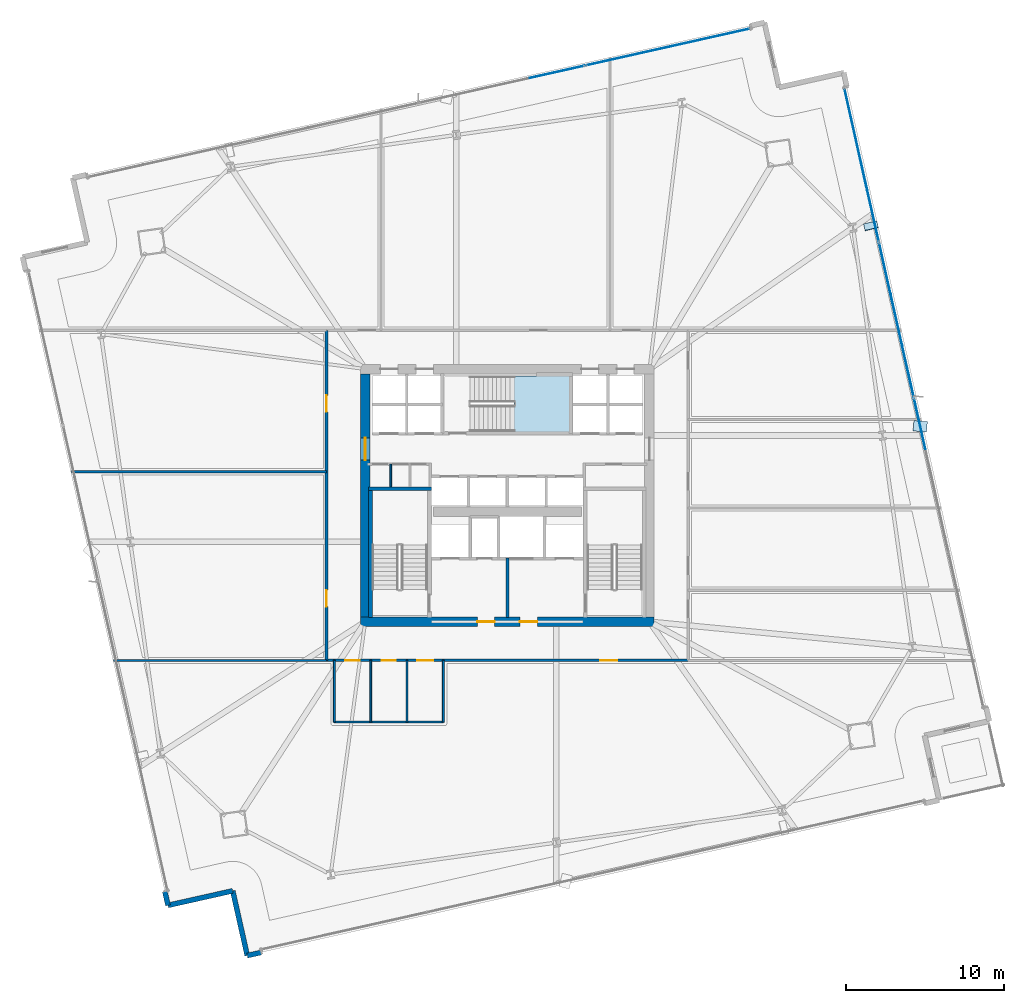
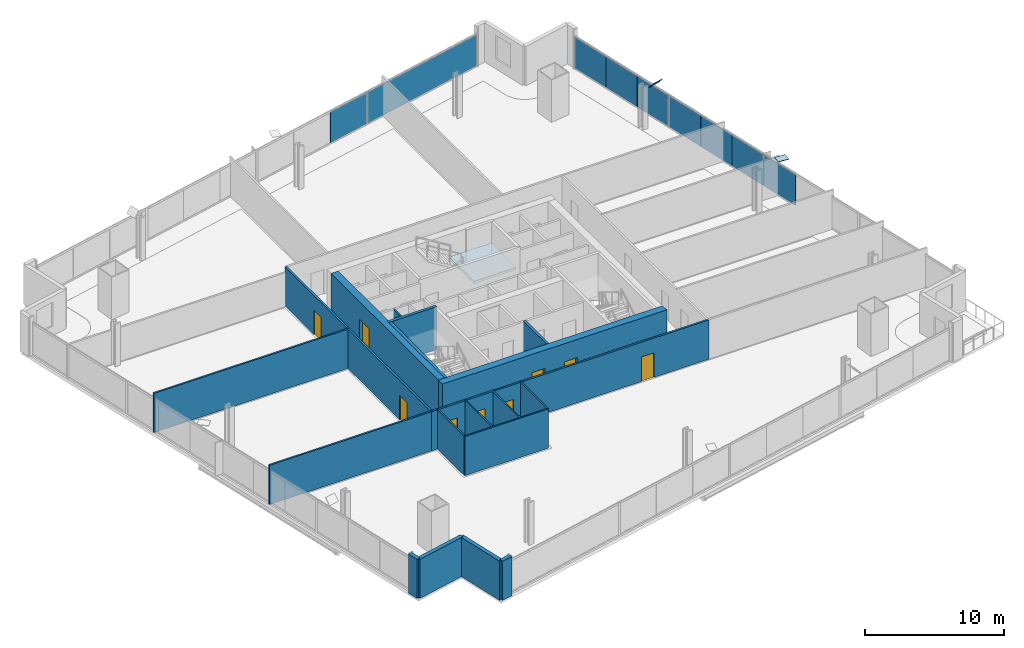
# One storey, part 24 of 32: 19 walls, 11 plates, 9 doors, 1 slab, 9 openings, 3 elements without a shape of their own.
"""IFC4 building model written with IfcOpenShell, lengths in metres."""

from ifc_helpers import new_model, si_unit, direction, frame, frame_2d, origin, origin_2d, place, context, subcontext, project, spatial, polyline, rectangle, outline, extrude, source, transform, mapped, material, layer, layer_set, type_object, element, fill, aggregate, save


model = new_model("IFC4")

# Units and contexts
model_context = context("Model", 3, precision=1e-05, world=origin(), true_north=direction((0.0, 1.0)))
body_context = subcontext(model_context, "Body", "Model", "MODEL_VIEW")
ifc_project = project(units=[si_unit("LENGTHUNIT", "METRE"), si_unit("AREAUNIT", "SQUARE_METRE"), si_unit("VOLUMEUNIT", "CUBIC_METRE"), si_unit("PLANEANGLEUNIT", "RADIAN"), si_unit("MASSUNIT", "GRAM", prefix="KILO")], contexts=[model_context])

# Site, building, storey
site_placement = place(None, origin())
site = spatial("IfcSite", under=ifc_project, at=site_placement, CompositionType="ELEMENT")
building_placement = place(site_placement, origin())
building = spatial("IfcBuilding", under=site, at=building_placement, Name="Haldenkirk Collegiate Tower", CompositionType="ELEMENT")
storey_placement = place(building_placement, frame((0.0, 0.0, 70.199951171875)))
storey = spatial("IfcBuildingStorey", under=building, at=storey_placement, Name="L16", CompositionType="ELEMENT", Elevation=70.199951171875)

# Stair, slab
ifc_material_1 = material(Name="Concrete f'c 40 MPa", Category="concrete")
stair_type = type_object("IfcStairType", Name="STR-DOGLEG-1650", PredefinedType="HALF_TURN_STAIR", material=ifc_material_1)
stair_placement = place(storey_placement, origin())
stair = element("IfcStair", 1, at=stair_placement, inside=storey, type_object=stair_type, Name="L16 Core Exit Stair ST-3", PredefinedType="HALF_TURN_STAIR")
ifc_layer_1 = layer(ifc_material_1, 0.199951171875)
ifc_layer_set_1 = layer_set([ifc_layer_1], Name="Concrete f'c 40 MPa")
slab_type = type_object("IfcSlabType", Name="SLB-LANDING-200", PredefinedType="LANDING", material=ifc_layer_set_1)
slab_placement = place(storey_placement, frame((0.0, 0.0, 1.675048828125)))
slab = element("IfcSlab", 2, at=slab_placement, type_object=slab_type, Name="ST-3 landing 1", PredefinedType="LANDING", context=body_context, shape_type="SweptSolid", body=[
    extrude(outline(polyline([(36.425048828125, 30.02490234375), (36.425048828125, 33.574951171875), (39.925048828125, 33.574951171875), (39.925048828125, 30.02490234375), (36.425048828125, 30.02490234375)])), origin(), (0.0, 0.0, 1.0), 0.199951171875),
])
aggregate(stair, [slab])

# Plates
ifc_material_2 = material(Name="Steel ASTM A572 Grade 50", Category="steel")
ifc_layer_2 = layer(ifc_material_2, 0.034912109375)
ifc_layer_set_2 = layer_set([ifc_layer_2], Name="Steel ASTM A572 Grade 50")
plate_type_1 = type_object("IfcPlateType", Name="PLT-CAP-EXT-760X600", PredefinedType="USERDEFINED", material=ifc_layer_set_2)
shared_shape_1 = source(origin(), body_context, "Body", "SweptSolid", [
    extrude(rectangle(XDim=0.860107421875, YDim=0.659912109375, at=origin_2d()), origin(), (0.0, 0.0, 1.0), 0.034912109375),
])
for number, where, z_axis, x_axis, name in (
    (3, (62.141845703125, 30.37109375, 3.42724609375), (0.002150001022, 0.023798011315, 0.999714475314), (-0.995941858021, 0.089998974672, -5.20753e-07), "Perimeter Mega Brace Z1 L14-L16 EL end cap plate 2"),
    (4, (59.02734375, 43.052001953125, 3.42822265625), (-0.177330003539, 0.742967014826, 0.645410012879), (-0.972678309164, -0.232157073729, 5.1e-11), "Perimeter Mega Brace Z1 L14-L16 ER end cap plate 2"),
):
    element("IfcPlate", number, at=place(storey_placement, frame(where, z_axis=z_axis, x_axis=x_axis)), inside=storey, type_object=plate_type_1, Name=name, ObjectType="END CAP PLATE", PredefinedType="USERDEFINED", context=body_context, shape_type="MappedRepresentation", body=[
        mapped(shared_shape_1, transform((0.0, 0.0, 0.0), x_axis=(1.0, 0.0, 0.0), y_axis=(0.0, 1.0, 0.0), z_axis=(0.0, 0.0, 1.0), scale=1.0)),
    ])

# Curtain wall, plates
ifc_material_3 = material(Name="Anodised architectural bronze aluminium", Category="aluminium")
curtain_wall_type = type_object("IfcCurtainWallType", Name="CW-SYS1-CONVEX-LOW", PredefinedType="USERDEFINED", material=ifc_material_3)
curtain_wall_1_placement = place(storey_placement, origin())
curtain_wall_1 = element("IfcCurtainWall", 5, at=curtain_wall_1_placement, inside=storey, type_object=curtain_wall_type, Name="L16 Lower tower convex bronze-framed unitised curtain wall", ObjectType="UNITISED CURTAIN WALL", PredefinedType="USERDEFINED")
ifc_material_4 = material(Name="Bronze-anodised insulated aluminium spandrel panel", Category="aluminium")
ifc_layer_3 = layer(ifc_material_4, 0.0439453125)
ifc_layer_set_3 = layer_set([ifc_layer_3], Name="Bronze-anodised insulated aluminium spandrel panel")
plate_type_2 = type_object("IfcPlateType", Name="CW-SPD-1A", PredefinedType="CURTAIN_PANEL", material=ifc_layer_set_3)
shared_shape_2 = source(origin(), body_context, "Body", "SweptSolid", [
    extrude(rectangle(XDim=3.317138671875, YDim=0.0439453125, at=origin_2d()), origin(), (0.0, 0.0, 1.0), 2.73095703125),
])
plate_1_placement = place(storey_placement, frame((59.904296875, 40.3662109375, 0.080078125), z_axis=(0.0, 0.0, 1.0), x_axis=(0.218995311037, -0.975725911178, 0.0)))
plate_1 = element("IfcPlate", 6, at=plate_1_placement, type_object=plate_type_2, Name="CW-1A spandrel panel 2.1a", PredefinedType="CURTAIN_PANEL", context=body_context, shape_type="MappedRepresentation", body=[
    mapped(shared_shape_2, transform((0.0, 0.0, 0.0), x_axis=(1.0, 0.0, 0.0), y_axis=(0.0, 1.0, 0.0), z_axis=(0.0, 0.0, 1.0), scale=1.0)),
])
ifc_material_5 = material(Name="Low-E argon triple insulating glass", Category="glass")
ifc_layer_4 = layer(ifc_material_5, 0.0439453125)
ifc_layer_set_4 = layer_set([ifc_layer_4], Name="Low-E argon triple insulating glass")
plate_type_3 = type_object("IfcPlateType", Name="CW-PNL-1A", PredefinedType="CURTAIN_PANEL", material=ifc_layer_set_4)
plate_2_placement = place(storey_placement, frame((61.365234375, 33.856689453125, 0.080078125), z_axis=(0.0, 0.0, 1.0), x_axis=(0.218995311037, -0.975725911178, 0.0)))
plate_2 = element("IfcPlate", 7, at=plate_2_placement, type_object=plate_type_3, Name="CW-1A panel 2.1c", PredefinedType="CURTAIN_PANEL", context=body_context, shape_type="MappedRepresentation", body=[
    mapped(shared_shape_2, transform((0.0, 0.0, 0.0), x_axis=(1.0, 0.0, 0.0), y_axis=(0.0, 1.0, 0.0), z_axis=(0.0, 0.0, 1.0), scale=1.0)),
])
plate_3_placement = place(storey_placement, frame((62.109130859375, 30.5419921875, 0.080078125), z_axis=(0.0, 0.0, 1.0), x_axis=(0.218995311037, -0.975725911178, 0.0)))
plate_3 = element("IfcPlate", 8, at=plate_3_placement, type_object=plate_type_2, Name="CW-1A spandrel panel 3.1a", PredefinedType="CURTAIN_PANEL", context=body_context, shape_type="MappedRepresentation", body=[
    mapped(shared_shape_2, transform((0.0, 0.0, 0.0), x_axis=(1.0, 0.0, 0.0), y_axis=(0.0, 1.0, 0.0), z_axis=(0.0, 0.0, 1.0), scale=1.0)),
])
shared_shape_3 = source(origin(), body_context, "Body", "SweptSolid", [
    extrude(rectangle(XDim=3.3046875, YDim=0.0439453125, at=origin_2d()), origin(), (0.0, 0.0, 1.0), 2.73095703125),
])
plate_4_placement = place(storey_placement, frame((60.634765625, 37.111328125, 0.080078125), z_axis=(0.0, 0.0, 1.0), x_axis=(0.218995311037, -0.975725911178, 0.0)))
plate_4 = element("IfcPlate", 9, at=plate_4_placement, type_object=plate_type_2, Name="CW-1A spandrel panel 2.1b", PredefinedType="CURTAIN_PANEL", context=body_context, shape_type="MappedRepresentation", body=[
    mapped(shared_shape_3, transform((0.0, 0.0, 0.0), x_axis=(1.0, 0.0, 0.0), y_axis=(0.0, 1.0, 0.0), z_axis=(0.0, 0.0, 1.0), scale=1.0)),
])

curtain_wall_2_placement = place(storey_placement, origin())
curtain_wall_2 = element("IfcCurtainWall", 10, at=curtain_wall_2_placement, inside=storey, type_object=curtain_wall_type, Name="L16 Lower tower convex bronze-framed unitised curtain wall", ObjectType="UNITISED CURTAIN WALL", PredefinedType="USERDEFINED")
shared_shape_4 = source(origin(), body_context, "Body", "SweptSolid", [
    extrude(rectangle(XDim=10.655029296875, YDim=0.0439453125, at=origin_2d()), origin(), (0.0, 0.0, 1.0), 2.73095703125),
])
plate_5_placement = place(storey_placement, frame((46.1728515625, 54.386962890625, 0.080078125), z_axis=(0.0, 0.0, 1.0), x_axis=(0.975725804241, 0.218995787492, 0.0)))
plate_5 = element("IfcPlate", 11, at=plate_5_placement, type_object=plate_type_3, Name="CW-1A panel 4.1", PredefinedType="CURTAIN_PANEL", context=body_context, shape_type="MappedRepresentation", body=[
    mapped(shared_shape_4, transform((0.0, 0.0, 0.0), x_axis=(1.0, 0.0, 0.0), y_axis=(0.0, 1.0, 0.0), z_axis=(0.0, 0.0, 1.0), scale=1.0)),
])
shared_shape_5 = source(origin(), body_context, "Body", "SweptSolid", [
    extrude(rectangle(XDim=3.552490234375, YDim=0.0439453125, at=origin_2d()), origin(), (0.0, 0.0, 1.0), 2.73095703125),
])
plate_6_placement = place(storey_placement, frame((39.163330078125, 52.813720703125, 0.080078125), z_axis=(0.0, 0.0, 1.0), x_axis=(0.975725804241, 0.218995787492, 0.0)))
plate_6 = element("IfcPlate", 12, at=plate_6_placement, type_object=plate_type_3, Name="CW-1A panel 3.1c", PredefinedType="CURTAIN_PANEL", context=body_context, shape_type="MappedRepresentation", body=[
    mapped(shared_shape_5, transform((0.0, 0.0, 0.0), x_axis=(1.0, 0.0, 0.0), y_axis=(0.0, 1.0, 0.0), z_axis=(0.0, 0.0, 1.0), scale=1.0)),
])
aggregate(curtain_wall_2, [plate_6, plate_5])

# Plate
shared_shape_6 = source(origin(), body_context, "Body", "SweptSolid", [
    extrude(rectangle(XDim=3.3037109375, YDim=0.0439453125, at=origin_2d()), origin(), (0.0, 0.0, 1.0), 2.73095703125),
])
plate_7_placement = place(storey_placement, frame((57.70654296875, 50.158203125, 0.080078125), z_axis=(0.0, 0.0, 1.0), x_axis=(0.218995311037, -0.975725911178, 0.0)))
plate_7 = element("IfcPlate", 13, at=plate_7_placement, type_object=plate_type_3, Name="CW-1A panel 1.1a", PredefinedType="CURTAIN_PANEL", context=body_context, shape_type="MappedRepresentation", body=[
    mapped(shared_shape_6, transform((0.0, 0.0, 0.0), x_axis=(1.0, 0.0, 0.0), y_axis=(0.0, 1.0, 0.0), z_axis=(0.0, 0.0, 1.0), scale=1.0)),
])

plate_8_placement = place(storey_placement, frame((59.16162109375, 43.67431640625, 0.080078125), z_axis=(0.0, 0.0, 1.0), x_axis=(0.218995311037, -0.975725911178, 0.0)))
plate_8 = element("IfcPlate", 14, at=plate_8_placement, type_object=plate_type_2, Name="CW-1A spandrel panel 1.1c", PredefinedType="CURTAIN_PANEL", context=body_context, shape_type="MappedRepresentation", body=[
    mapped(shared_shape_6, transform((0.0, 0.0, 0.0), x_axis=(1.0, 0.0, 0.0), y_axis=(0.0, 1.0, 0.0), z_axis=(0.0, 0.0, 1.0), scale=1.0)),
])

shared_shape_7 = source(origin(), body_context, "Body", "SweptSolid", [
    extrude(rectangle(XDim=3.291259765625, YDim=0.0439453125, at=origin_2d()), origin(), (0.0, 0.0, 1.0), 2.73095703125),
])
plate_9_placement = place(storey_placement, frame((58.43408203125, 46.916259765625, 0.080078125), z_axis=(0.0, 0.0, 1.0), x_axis=(0.218995311037, -0.975725911178, 0.0)))
plate_9 = element("IfcPlate", 15, at=plate_9_placement, type_object=plate_type_3, Name="CW-1A panel 1.1b", PredefinedType="CURTAIN_PANEL", context=body_context, shape_type="MappedRepresentation", body=[
    mapped(shared_shape_7, transform((0.0, 0.0, 0.0), x_axis=(1.0, 0.0, 0.0), y_axis=(0.0, 1.0, 0.0), z_axis=(0.0, 0.0, 1.0), scale=1.0)),
])

aggregate(curtain_wall_1, [plate_7, plate_9, plate_8, plate_1, plate_4, plate_2, plate_3])

# Wall, openings, doors
ifc_material_6 = material(Name="Concrete f'c 70 MPa", Category="concrete")
ifc_layer_5 = layer(ifc_material_6, 0.60009765625)
ifc_layer_set_5 = layer_set([ifc_layer_5], Name="Concrete f'c 70 MPa")
wall_type_1 = type_object("IfcWallType", Name="WL-CORE-600", PredefinedType="SHEAR", material=ifc_layer_set_5)
wall_1_placement = place(storey_placement, frame((26.699951171875, 18.0, 0.0), z_axis=(0.0, 0.0, 1.0), x_axis=(1.0, 0.0, 0.0)))
wall_1 = element("IfcWall", 16, at=wall_1_placement, inside=storey, type_object=wall_type_1, Name="L16 central core shear wall S", PredefinedType="SHEAR", context=body_context, shape_type="SweptSolid", body=[
    extrude(rectangle(XDim=18.60009765625, YDim=0.60009765625, at=frame_2d((9.300048828125, 0.0))), origin(), (0.0, 0.0, 1.0), 3.75),
])
opening_1_placement = place(wall_1_placement, frame((7.39990234375, 0.0, 0.0)))
opening_1 = element("IfcOpeningElement", 17, at=opening_1_placement, cuts=wall_1, Name="Opening D-02", PredefinedType="OPENING", context=body_context, shape_type="SweptSolid", body=[
    extrude(rectangle(XDim=1.10009765625, YDim=2.14990234375, at=frame_2d((0.550048828125, 1.074951171875))), frame((0.0, 0.31005859375, 0.0), z_axis=(0.0, -1.0, 0.0), x_axis=(1.0, 0.0, 0.0)), (0.0, 0.0, 1.0), 0.6201171875),
])
opening_2_placement = place(wall_1_placement, frame((10.10009765625, 0.0, 0.0)))
opening_2 = element("IfcOpeningElement", 18, at=opening_2_placement, cuts=wall_1, Name="Opening D-02", PredefinedType="OPENING", context=body_context, shape_type="SweptSolid", body=[
    extrude(rectangle(XDim=1.10009765625, YDim=2.14990234375, at=frame_2d((0.550048828125, 1.074951171875))), frame((0.0, 0.31005859375, 0.0), z_axis=(0.0, -1.0, 0.0), x_axis=(1.0, 0.0, 0.0)), (0.0, 0.0, 1.0), 0.6201171875),
])
ifc_material_7 = material(Name="Galvanized fire-rated hollow steel door", Category="steel")
ifc_layer_6 = layer(ifc_material_7, 0.06005859375)
ifc_layer_set_6 = layer_set([ifc_layer_6], Name="Galvanized fire-rated hollow steel door")
door_type_1 = type_object("IfcDoorType", Name="DR-STAIR-FD90-1100", OperationType="NOTDEFINED", PredefinedType="DOOR", material=ifc_layer_set_6)
door_1_placement = place(opening_1_placement, origin())
door_1 = element("IfcDoor", 19, at=door_1_placement, inside=storey, type_object=door_type_1, Name="L16 Firefighting Lobby 1 door", OperationType="SINGLE_SWING_RIGHT", OverallHeight=2.14990234375, OverallWidth=1.10009765625, PredefinedType="DOOR", context=body_context, shape_type="SweptSolid", body=[
    extrude(rectangle(XDim=1.10009765625, YDim=2.14990234375, at=frame_2d((0.550048828125, 1.074951171875))), frame((0.0, 0.02490234375, 0.0), z_axis=(0.0, -1.0, 0.0), x_axis=(1.0, 0.0, 0.0)), (0.0, 0.0, 1.0), 0.050048828125),
])
fill(opening_1, door_1)
door_2_placement = place(opening_2_placement, origin())
door_2 = element("IfcDoor", 20, at=door_2_placement, inside=storey, type_object=door_type_1, Name="L16 Firefighting Lobby 2 door", OperationType="SINGLE_SWING_LEFT", OverallHeight=2.14990234375, OverallWidth=1.10009765625, PredefinedType="DOOR", context=body_context, shape_type="SweptSolid", body=[
    extrude(rectangle(XDim=1.10009765625, YDim=2.14990234375, at=frame_2d((0.550048828125, 1.074951171875))), frame((0.0, 0.02490234375, 0.0), z_axis=(0.0, -1.0, 0.0), x_axis=(1.0, 0.0, 0.0)), (0.0, 0.0, 1.0), 0.050048828125),
])
fill(opening_2, door_2)

# Wall, opening, door
wall_2_placement = place(storey_placement, frame((27.0, 18.300048828125, 0.0), z_axis=(0.0, 0.0, 1.0), x_axis=(0.0, 1.0, 0.0)))
wall_2 = element("IfcWall", 21, at=wall_2_placement, inside=storey, type_object=wall_type_1, Name="L16 central core shear wall W", PredefinedType="SHEAR", context=body_context, shape_type="SweptSolid", body=[
    extrude(rectangle(XDim=15.39990234375, YDim=0.60009765625, at=frame_2d((7.699951171875, 0.0))), origin(), (0.0, 0.0, 1.0), 3.75),
])
opening_3_placement = place(wall_2_placement, frame((9.93994140625, 0.0, 0.0)))
opening_3 = element("IfcOpeningElement", 22, at=opening_3_placement, cuts=wall_2, Name="Opening D-03", PredefinedType="OPENING", context=body_context, shape_type="SweptSolid", body=[
    extrude(rectangle(XDim=1.39990234375, YDim=2.199951171875, at=frame_2d((0.699951171875, 1.10009765625))), frame((0.0, 0.31005859375, 0.0), z_axis=(0.0, -1.0, 0.0), x_axis=(1.0, 0.0, 0.0)), (0.0, 0.0, 1.0), 0.6201171875),
])
ifc_layer_7 = layer(ifc_material_7, 0.06005859375)
ifc_layer_set_7 = layer_set([ifc_layer_7], Name="Galvanized fire-rated hollow steel door")
door_type_2 = type_object("IfcDoorType", Name="DR-LOBBY-FD90-1400", OperationType="NOTDEFINED", PredefinedType="DOOR", material=ifc_layer_set_7)
door_3_placement = place(opening_3_placement, origin())
door_3 = element("IfcDoor", 23, at=door_3_placement, inside=storey, type_object=door_type_2, Name="L16 west lift lobby portal", OperationType="DOUBLE_DOOR_SINGLE_SWING", OverallHeight=2.199951171875, OverallWidth=1.39990234375, PredefinedType="DOOR", context=body_context, shape_type="SweptSolid", body=[
    extrude(rectangle(XDim=1.39990234375, YDim=2.199951171875, at=frame_2d((0.699951171875, 1.10009765625))), frame((0.0, 0.02490234375, 0.0), z_axis=(0.0, -1.0, 0.0), x_axis=(1.0, 0.0, 0.0)), (0.0, 0.0, 1.0), 0.050048828125),
])
fill(opening_3, door_3)

# Walls
ifc_material_8 = material(Name="Precast concrete f'c 40 MPa", Category="concrete")
ifc_layer_8 = layer(ifc_material_8, 0.320068359375)
ifc_layer_set_8 = layer_set([ifc_layer_8], Name="Precast concrete f'c 40 MPa")
wall_type_2 = type_object("IfcWallType", Name="WL-EXT-TWR-320", PredefinedType="STANDARD", material=ifc_layer_set_8)
wall_3_placement = place(storey_placement, frame((20.40966796875, -2.941650390625, 0.0), z_axis=(0.0, 0.0, 1.0), x_axis=(-0.975686665965, -0.219170093439, 0.0)))
element("IfcWall", 24, at=wall_3_placement, inside=storey, type_object=wall_type_2, Name="L16 precast corner pier SR", PredefinedType="STANDARD", context=body_context, shape_type="SweptSolid", body=[
    extrude(rectangle(XDim=0.900146484375, YDim=0.320068359375, at=frame_2d((0.4501953125, 0.0))), origin(), (0.0, 0.0, 1.0), 3.43994140625),
])
wall_4_placement = place(storey_placement, frame((14.513671875, 0.039306640625, 0.0), z_axis=(0.0, 0.0, 1.0), x_axis=(-0.218911849947, 0.975744639725, 0.0)))
element("IfcWall", 25, at=wall_4_placement, inside=storey, type_object=wall_type_2, Name="L16 precast corner pier WL", PredefinedType="STANDARD", context=body_context, shape_type="SweptSolid", body=[
    extrude(rectangle(XDim=0.89990234375, YDim=0.320068359375, at=frame_2d((0.449951171875, 0.0))), origin(), (0.0, 0.0, 1.0), 3.43994140625),
])
wall_5_placement = place(storey_placement, frame((18.61181640625, 0.959228515625, 0.0), z_axis=(0.0, 0.0, 1.0), x_axis=(-0.975719801354, -0.219022531366, 0.0)))
element("IfcWall", 26, at=wall_5_placement, inside=storey, type_object=wall_type_2, Name="L16 bronze precast notch wall 11", PredefinedType="STANDARD", context=body_context, shape_type="SweptSolid", body=[
    extrude(rectangle(XDim=4.2001953125, YDim=0.320068359375, at=frame_2d((2.10009765625, 0.0))), origin(), (0.0, 0.0, 1.0), 3.43994140625),
])
wall_6_placement = place(storey_placement, frame((19.531494140625, -3.138916015625, 0.0), z_axis=(0.0, 0.0, 1.0), x_axis=(-0.218967191713, 0.975732221951, 0.0)))
element("IfcWall", 27, at=wall_6_placement, inside=storey, type_object=wall_type_2, Name="L16 bronze precast notch wall 12", PredefinedType="STANDARD", context=body_context, shape_type="SweptSolid", body=[
    extrude(rectangle(XDim=4.199951171875, YDim=0.320068359375, at=frame_2d((2.10009765625, 0.0))), origin(), (0.0, 0.0, 1.0), 3.43994140625),
])

# Wall, openings, doors
ifc_material_9 = material(Name="Acoustic fire-rated gypsum partition", Category="concrete")
ifc_layer_9 = layer(ifc_material_9, 0.159912109375)
ifc_layer_set_9 = layer_set([ifc_layer_9], Name="Acoustic fire-rated gypsum partition")
wall_type_3 = type_object("IfcWallType", Name="WL-INT-CORR-160", PredefinedType="PARTITIONING", material=ifc_layer_set_9)
wall_7_placement = place(storey_placement, frame((24.5, 15.550048828125, 0.0), z_axis=(0.0, 0.0, 1.0), x_axis=(1.0, 0.0, 0.0)))
wall_7 = element("IfcWall", 28, at=wall_7_placement, inside=storey, type_object=wall_type_3, Name="L16 interior partition IW-L16-CS", PredefinedType="PARTITIONING", context=body_context, shape_type="SweptSolid", body=[
    extrude(rectangle(XDim=23.0, YDim=0.159912109375, at=frame_2d((11.5, 0.0))), origin(), (0.0, 0.0, 1.0), 3.43994140625),
])
opening_4_placement = place(wall_7_placement, frame((1.25, 0.0, 0.0)))
opening_4 = element("IfcOpeningElement", 29, at=opening_4_placement, cuts=wall_7, Name="Opening D-13", PredefinedType="OPENING", context=body_context, shape_type="SweptSolid", body=[
    extrude(rectangle(XDim=0.89990234375, YDim=2.14990234375, at=frame_2d((0.449951171875, 1.074951171875))), frame((0.0, 0.08984375, 0.0), z_axis=(0.0, -1.0, 0.0), x_axis=(1.0, 0.0, 0.0)), (0.0, 0.0, 1.0), 0.179931640625),
])
opening_5_placement = place(wall_7_placement, frame((3.550048828125, 0.0, 0.0)))
opening_5 = element("IfcOpeningElement", 30, at=opening_5_placement, cuts=wall_7, Name="Opening D-13", PredefinedType="OPENING", context=body_context, shape_type="SweptSolid", body=[
    extrude(rectangle(XDim=0.89990234375, YDim=2.14990234375, at=frame_2d((0.449951171875, 1.074951171875))), frame((0.0, 0.08984375, 0.0), z_axis=(0.0, -1.0, 0.0), x_axis=(1.0, 0.0, 0.0)), (0.0, 0.0, 1.0), 0.179931640625),
])
opening_6_placement = place(wall_7_placement, frame((5.800048828125, 0.0, 0.0)))
opening_6 = element("IfcOpeningElement", 31, at=opening_6_placement, cuts=wall_7, Name="Opening D-14", PredefinedType="OPENING", context=body_context, shape_type="SweptSolid", body=[
    extrude(rectangle(XDim=1.0, YDim=2.14990234375, at=frame_2d((0.5, 1.074951171875))), frame((0.0, 0.08984375, 0.0), z_axis=(0.0, -1.0, 0.0), x_axis=(1.0, 0.0, 0.0)), (0.0, 0.0, 1.0), 0.179931640625),
])
opening_7_placement = place(wall_7_placement, frame((17.39892578125, 0.0, 0.0)))
opening_7 = element("IfcOpeningElement", 32, at=opening_7_placement, cuts=wall_7, Name="Opening D-09", PredefinedType="OPENING", context=body_context, shape_type="SweptSolid", body=[
    extrude(rectangle(XDim=1.050048828125, YDim=2.14990234375, at=frame_2d((0.52490234375, 1.074951171875))), frame((0.0, 0.08984375, 0.0), z_axis=(0.0, -1.0, 0.0), x_axis=(1.0, 0.0, 0.0)), (0.0, 0.0, 1.0), 0.179931640625),
])
ifc_material_10 = material(Name="Solid-core architectural oak fire door", Category="wood")
ifc_layer_10 = layer(ifc_material_10, 0.06005859375)
ifc_layer_set_10 = layer_set([ifc_layer_10], Name="Solid-core architectural oak fire door")
door_type_3 = type_object("IfcDoorType", Name="DR-INT-ACC-1000", OperationType="NOTDEFINED", PredefinedType="DOOR", material=ifc_layer_set_10)
door_4_placement = place(opening_6_placement, origin())
door_4 = element("IfcDoor", 33, at=door_4_placement, inside=storey, type_object=door_type_3, Name="L16 Accessible WC door", OperationType="SINGLE_SWING_LEFT", OverallHeight=2.14990234375, OverallWidth=1.0, PredefinedType="DOOR", context=body_context, shape_type="SweptSolid", body=[
    extrude(rectangle(XDim=1.0, YDim=2.14990234375, at=frame_2d((0.5, 1.074951171875))), frame((0.0, 0.02490234375, 0.0), z_axis=(0.0, -1.0, 0.0), x_axis=(1.0, 0.0, 0.0)), (0.0, 0.0, 1.0), 0.050048828125),
])
fill(opening_6, door_4)
ifc_layer_11 = layer(ifc_material_10, 0.06005859375)
ifc_layer_set_11 = layer_set([ifc_layer_11], Name="Solid-core architectural oak fire door")
door_type_4 = type_object("IfcDoorType", Name="DR-INT-FD60-1050", OperationType="NOTDEFINED", PredefinedType="DOOR", material=ifc_layer_set_11)
door_5_placement = place(opening_7_placement, origin())
door_5 = element("IfcDoor", 34, at=door_5_placement, inside=storey, type_object=door_type_4, Name="L16 Hospitality Tea Kitchen 1 door", OperationType="SINGLE_SWING_RIGHT", OverallHeight=2.14990234375, OverallWidth=1.050048828125, PredefinedType="DOOR", context=body_context, shape_type="SweptSolid", body=[
    extrude(rectangle(XDim=1.050048828125, YDim=2.14990234375, at=frame_2d((0.52490234375, 1.074951171875))), frame((0.0, 0.02490234375, 0.0), z_axis=(0.0, -1.0, 0.0), x_axis=(1.0, 0.0, 0.0)), (0.0, 0.0, 1.0), 0.050048828125),
])
fill(opening_7, door_5)
ifc_layer_12 = layer(ifc_material_10, 0.06005859375)
ifc_layer_set_12 = layer_set([ifc_layer_12], Name="Solid-core architectural oak fire door")
door_type_5 = type_object("IfcDoorType", Name="DR-INT-STD-900", OperationType="NOTDEFINED", PredefinedType="DOOR", material=ifc_layer_set_12)
door_6_placement = place(opening_4_placement, origin())
door_6 = element("IfcDoor", 35, at=door_6_placement, inside=storey, type_object=door_type_5, Name="L16 Male WC door", OperationType="SINGLE_SWING_LEFT", OverallHeight=2.14990234375, OverallWidth=0.89990234375, PredefinedType="DOOR", context=body_context, shape_type="SweptSolid", body=[
    extrude(rectangle(XDim=0.89990234375, YDim=2.14990234375, at=frame_2d((0.449951171875, 1.074951171875))), frame((0.0, 0.02490234375, 0.0), z_axis=(0.0, -1.0, 0.0), x_axis=(1.0, 0.0, 0.0)), (0.0, 0.0, 1.0), 0.050048828125),
])
fill(opening_4, door_6)
door_7_placement = place(opening_5_placement, origin())
door_7 = element("IfcDoor", 36, at=door_7_placement, inside=storey, type_object=door_type_5, Name="L16 Female WC door", OperationType="SINGLE_SWING_RIGHT", OverallHeight=2.14990234375, OverallWidth=0.89990234375, PredefinedType="DOOR", context=body_context, shape_type="SweptSolid", body=[
    extrude(rectangle(XDim=0.89990234375, YDim=2.14990234375, at=frame_2d((0.449951171875, 1.074951171875))), frame((0.0, 0.02490234375, 0.0), z_axis=(0.0, -1.0, 0.0), x_axis=(1.0, 0.0, 0.0)), (0.0, 0.0, 1.0), 0.050048828125),
])
fill(opening_5, door_7)

wall_8_placement = place(storey_placement, frame((24.550048828125, 15.550048828125, 0.0), z_axis=(0.0, 0.0, 1.0), x_axis=(0.0, 1.0, 0.0)))
wall_8 = element("IfcWall", 37, at=wall_8_placement, inside=storey, type_object=wall_type_3, Name="L16 interior partition IW-L16-CW", PredefinedType="PARTITIONING", context=body_context, shape_type="SweptSolid", body=[
    extrude(rectangle(XDim=20.89990234375, YDim=0.159912109375, at=frame_2d((10.449951171875, 0.0))), origin(), (0.0, 0.0, 1.0), 3.43994140625),
])
opening_8_placement = place(wall_8_placement, frame((3.405029296875, 0.0, 0.0)))
opening_8 = element("IfcOpeningElement", 38, at=opening_8_placement, cuts=wall_8, Name="Opening D-09", PredefinedType="OPENING", context=body_context, shape_type="SweptSolid", body=[
    extrude(rectangle(XDim=1.050048828125, YDim=2.14990234375, at=frame_2d((0.52490234375, 1.074951171875))), frame((0.0, 0.08984375, 0.0), z_axis=(0.0, -1.0, 0.0), x_axis=(1.0, 0.0, 0.0)), (0.0, 0.0, 1.0), 0.179931640625),
])
opening_9_placement = place(wall_8_placement, frame((15.73388671875, 0.0, 0.0)))
opening_9 = element("IfcOpeningElement", 39, at=opening_9_placement, cuts=wall_8, Name="Opening D-09", PredefinedType="OPENING", context=body_context, shape_type="SweptSolid", body=[
    extrude(rectangle(XDim=1.050048828125, YDim=2.14990234375, at=frame_2d((0.52490234375, 1.074951171875))), frame((0.0, 0.08984375, 0.0), z_axis=(0.0, -1.0, 0.0), x_axis=(1.0, 0.0, 0.0)), (0.0, 0.0, 1.0), 0.179931640625),
])
door_8_placement = place(opening_8_placement, origin())
door_8 = element("IfcDoor", 40, at=door_8_placement, inside=storey, type_object=door_type_4, Name="L16 Wet Science Laboratory 5 door", OperationType="SINGLE_SWING_RIGHT", OverallHeight=2.14990234375, OverallWidth=1.050048828125, PredefinedType="DOOR", context=body_context, shape_type="SweptSolid", body=[
    extrude(rectangle(XDim=1.050048828125, YDim=2.14990234375, at=frame_2d((0.52490234375, 1.074951171875))), frame((0.0, 0.02490234375, 0.0), z_axis=(0.0, -1.0, 0.0), x_axis=(1.0, 0.0, 0.0)), (0.0, 0.0, 1.0), 0.050048828125),
])
fill(opening_8, door_8)
door_9_placement = place(opening_9_placement, origin())
door_9 = element("IfcDoor", 41, at=door_9_placement, inside=storey, type_object=door_type_4, Name="L16 Model Shop Laboratory 6 door", OperationType="SINGLE_SWING_LEFT", OverallHeight=2.14990234375, OverallWidth=1.050048828125, PredefinedType="DOOR", context=body_context, shape_type="SweptSolid", body=[
    extrude(rectangle(XDim=1.050048828125, YDim=2.14990234375, at=frame_2d((0.52490234375, 1.074951171875))), frame((0.0, 0.02490234375, 0.0), z_axis=(0.0, -1.0, 0.0), x_axis=(1.0, 0.0, 0.0)), (0.0, 0.0, 1.0), 0.050048828125),
])
fill(opening_9, door_9)

# Walls
ifc_layer_13 = layer(ifc_material_9, 0.139892578125)
ifc_layer_set_13 = layer_set([ifc_layer_13], Name="Acoustic fire-rated gypsum partition")
wall_type_4 = type_object("IfcWallType", Name="WL-INT-DIV-140", PredefinedType="PARTITIONING", material=ifc_layer_set_13)
wall_9_placement = place(storey_placement, frame((11.073486328125, 15.550048828125, 0.0), z_axis=(0.0, 0.0, 1.0), x_axis=(1.0, 0.0, 0.0)))
element("IfcWall", 42, at=wall_9_placement, inside=storey, type_object=wall_type_4, Name="L16 interior partition IW-L16-BWS", PredefinedType="PARTITIONING", context=body_context, shape_type="SweptSolid", body=[
    extrude(rectangle(XDim=13.4765625, YDim=0.139892578125, at=frame_2d((6.73828125, 0.0))), origin(), (0.0, 0.0, 1.0), 3.43994140625),
])
wall_10_placement = place(storey_placement, frame((8.391357421875, 27.5, 0.0), z_axis=(0.0, 0.0, 1.0), x_axis=(1.0, 0.0, 0.0)))
element("IfcWall", 43, at=wall_10_placement, inside=storey, type_object=wall_type_4, Name="L16 interior partition IW-L16-RW1", PredefinedType="PARTITIONING", context=body_context, shape_type="SweptSolid", body=[
    extrude(rectangle(XDim=16.15869140625, YDim=0.139892578125, at=frame_2d((8.079345703125, 0.0))), origin(), (0.0, 0.0, 1.0), 3.43994140625),
])
ifc_material_11 = material(Name="Fire-rated gypsum shaftboard assembly", Category="concrete")
ifc_layer_14 = layer(ifc_material_11, 0.199951171875)
ifc_layer_set_14 = layer_set([ifc_layer_14], Name="Fire-rated gypsum shaftboard assembly")
wall_type_5 = type_object("IfcWallType", Name="WL-INT-SHAFT-200", PredefinedType="PARTITIONING", material=ifc_layer_set_14)
wall_11_placement = place(storey_placement, frame((36.0, 18.280029296875, 0.0), z_axis=(0.0, 0.0, 1.0), x_axis=(0.0, 1.0, 0.0)))
element("IfcWall", 44, at=wall_11_placement, inside=storey, type_object=wall_type_5, Name="L16 interior partition IW-L16-FFLM", PredefinedType="PARTITIONING", context=body_context, shape_type="SweptSolid", body=[
    extrude(rectangle(XDim=3.77001953125, YDim=0.199951171875, at=frame_2d((1.885009765625, 0.0))), origin(), (0.0, 0.0, 1.0), 3.43994140625),
])
ifc_layer_15 = layer(ifc_material_9, 0.1201171875)
ifc_layer_set_15 = layer_set([ifc_layer_15], Name="Acoustic fire-rated gypsum partition")
wall_type_6 = type_object("IfcWallType", Name="WL-INT-WET-120", PredefinedType="PARTITIONING", material=ifc_layer_set_15)
wall_12_placement = place(storey_placement, frame((28.6201171875, 26.5400390625, 0.0), z_axis=(0.0, 0.0, 1.0), x_axis=(0.0, 1.0, 0.0)))
element("IfcWall", 45, at=wall_12_placement, inside=storey, type_object=wall_type_6, Name="L16 interior partition IW-L16-VCSW-M1", PredefinedType="PARTITIONING", context=body_context, shape_type="SweptSolid", body=[
    extrude(rectangle(XDim=1.43994140625, YDim=0.1201171875, at=frame_2d((0.719970703125, 0.0))), origin(), (0.0, 0.0, 1.0), 3.43994140625),
])
for number, where, z_axis, x_axis, name in (
    (46, (25.050048828125, 11.64990234375, 0.0), (0.0, 0.0, 1.0), (0.0, 1.0, 0.0), "L16 interior partition IW-L16-WCW"),
    (47, (27.35009765625, 11.64990234375, 0.0), (0.0, 0.0, 1.0), (0.0, 1.0, 0.0), "L16 interior partition IW-L16-WC1"),
    (48, (29.64990234375, 11.64990234375, 0.0), (0.0, 0.0, 1.0), (0.0, 1.0, 0.0), "L16 interior partition IW-L16-WC2"),
    (49, (31.949951171875, 11.64990234375, 0.0), (0.0, 0.0, 1.0), (0.0, 1.0, 0.0), "L16 interior partition IW-L16-WCE"),
):
    element("IfcWall", number, at=place(storey_placement, frame(where, z_axis=z_axis, x_axis=x_axis)), inside=storey, type_object=wall_type_6, Name=name, PredefinedType="PARTITIONING", context=body_context, shape_type="SweptSolid", body=[
        extrude(rectangle(XDim=3.900146484375, YDim=0.1201171875, at=frame_2d((1.9501953125, 0.0))), origin(), (0.0, 0.0, 1.0), 3.43994140625),
    ])
wall_13_placement = place(storey_placement, frame((25.050048828125, 11.64990234375, 0.0), z_axis=(0.0, 0.0, 1.0), x_axis=(1.0, 0.0, 0.0)))
element("IfcWall", 50, at=wall_13_placement, inside=storey, type_object=wall_type_6, Name="L16 interior partition IW-L16-WCB", PredefinedType="PARTITIONING", context=body_context, shape_type="SweptSolid", body=[
    extrude(rectangle(XDim=6.89990234375, YDim=0.1201171875, at=frame_2d((3.449951171875, 0.0))), origin(), (0.0, 0.0, 1.0), 3.43994140625),
])
ifc_material_12 = material(Name="Concrete f'c 55 MPa", Category="concrete")
ifc_layer_16 = layer(ifc_material_12, 0.239990234375)
ifc_layer_set_16 = layer_set([ifc_layer_16], Name="Concrete f'c 55 MPa")
wall_type_7 = type_object("IfcWallType", Name="WL-SHAFT-240", PredefinedType="SHEAR", material=ifc_layer_set_16)
wall_14_placement = place(storey_placement, frame((27.2099609375, 26.419921875, 0.0), z_axis=(0.0, 0.0, 1.0), x_axis=(1.0, 0.0, 0.0)))
element("IfcWall", 51, at=wall_14_placement, inside=storey, type_object=wall_type_7, Name="L16 stair shaft shear wall SW-L16-ST1N", PredefinedType="SHEAR", context=body_context, shape_type="SweptSolid", body=[
    extrude(rectangle(XDim=3.97998046875, YDim=0.239990234375, at=frame_2d((1.989990234375, 0.0))), origin(), (0.0, 0.0, 1.0), 3.75),
])
wall_15_placement = place(storey_placement, frame((27.330078125, 18.280029296875, 0.0), z_axis=(0.0, 0.0, 1.0), x_axis=(0.0, 1.0, 0.0)))
element("IfcWall", 52, at=wall_15_placement, inside=storey, type_object=wall_type_7, Name="L16 stair shaft shear wall SW-L16-ST1W", PredefinedType="SHEAR", context=body_context, shape_type="SweptSolid", body=[
    extrude(rectangle(XDim=8.260009765625, YDim=0.239990234375, at=frame_2d((4.1298828125, 0.0))), origin(), (0.0, 0.0, 1.0), 3.75),
])

save(model, "model.ifc")
